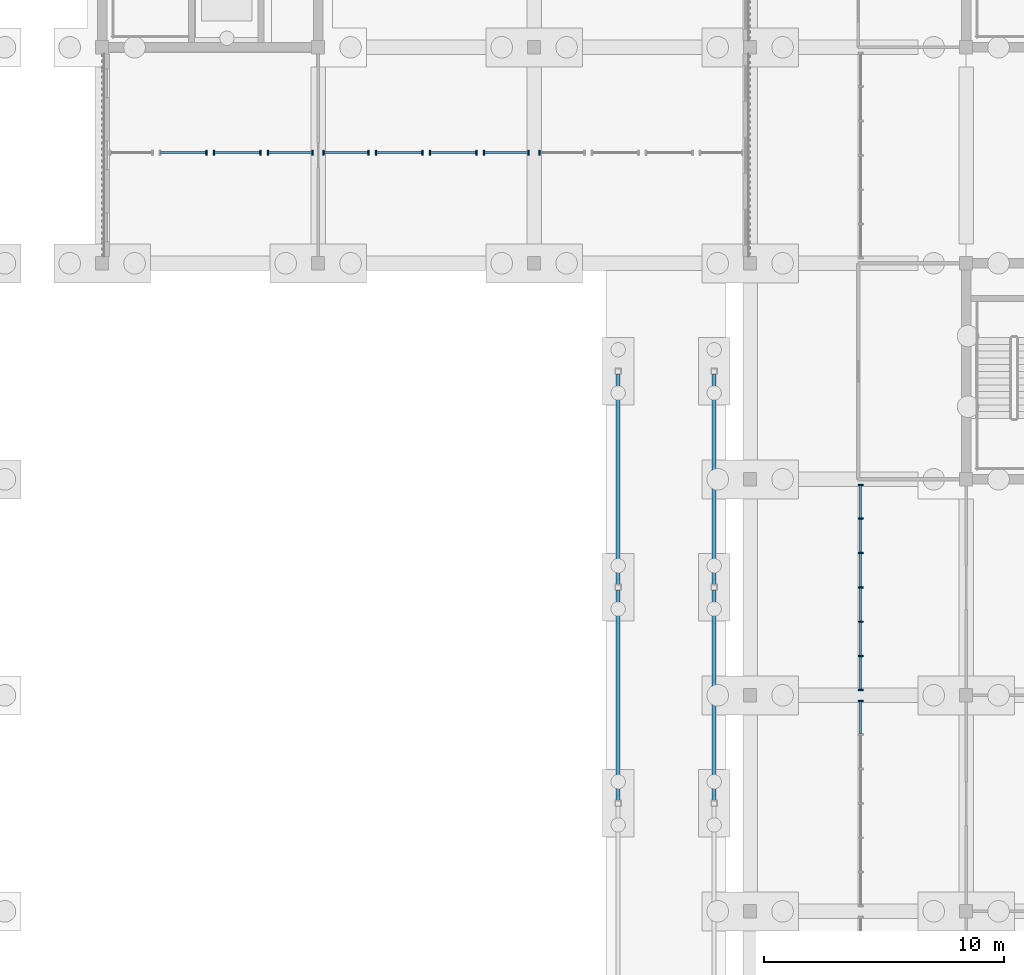
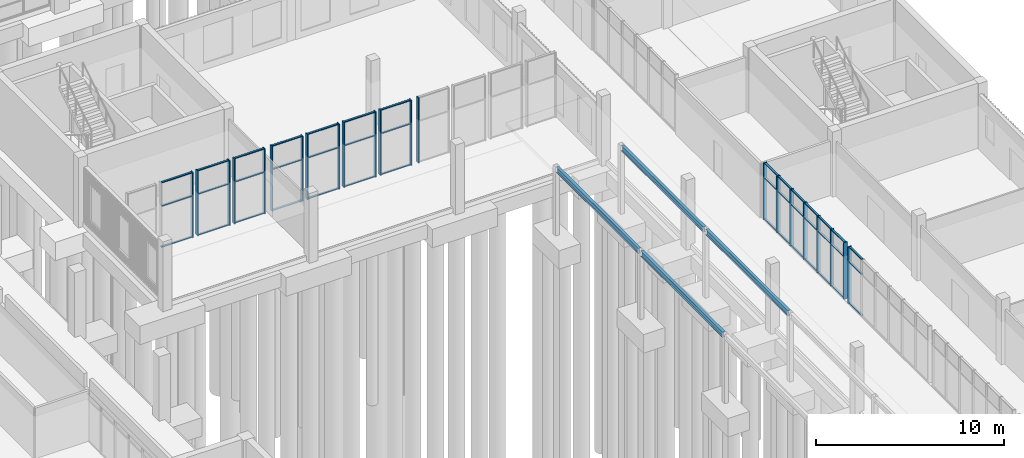
# One storey, part 44 of 106: 64 members, 4 beams, 10 elements without a shape of their own.
"""IFC4 building model written with IfcOpenShell, lengths in metres."""

from ifc_helpers import new_model, si_unit, direction, frame, origin, origin_2d, place, context, subcontext, project, spatial, rectangle, i_section, extrude, material, material_profile, profile_set, type_object, element, aggregate, save


model = new_model("IFC4")

# Units and contexts
model_context = context("Model", 3, precision=1e-05, world=origin(), true_north=direction((0.0, 1.0)))
body_context = subcontext(model_context, "Body", "Model", "MODEL_VIEW")
ifc_project = project(units=[si_unit("LENGTHUNIT", "METRE"), si_unit("AREAUNIT", "SQUARE_METRE"), si_unit("VOLUMEUNIT", "CUBIC_METRE"), si_unit("PLANEANGLEUNIT", "RADIAN"), si_unit("MASSUNIT", "GRAM", prefix="KILO")], contexts=[model_context])

# Site, building, storey
site_placement = place(None, origin())
site = spatial("IfcSite", under=ifc_project, at=site_placement, CompositionType="ELEMENT")
building_placement = place(site_placement, origin())
building = spatial("IfcBuilding", under=site, at=building_placement, Name="Merrow Basin Faculty of Sciences", CompositionType="ELEMENT")
storey_placement = place(building_placement, origin())
storey = spatial("IfcBuildingStorey", under=building, at=storey_placement, Name="L00", CompositionType="ELEMENT", Elevation=0.0)

# Curtain wall, member
ifc_material_1 = material(Name="Aluminium alloy 6063", Category="aluminium")
curtain_wall_type = type_object("IfcCurtainWallType", Name="Arcade curtain wall 220", PredefinedType="NOTDEFINED", material=ifc_material_1)
curtain_wall_1_placement = place(storey_placement, origin())
curtain_wall_1 = element("IfcCurtainWall", 1, at=curtain_wall_1_placement, inside=storey, type_object=curtain_wall_type, Name="Arcade curtain wall L00 3", PredefinedType="NOTDEFINED")
ifc_material_2 = material(Name="Aluminium alloy 6063", Category="aluminium")
ifc_material_profile_1 = material_profile(ifc_material_2, rectangle(XDim=0.219970703125, YDim=0.06005859375, at=origin_2d()))
ifc_profile_set_1 = profile_set([ifc_material_profile_1], Name="Aluminium alloy 6063")
member_type_1 = type_object("IfcMemberType", Name="Aluminium mullion 60x220", PredefinedType="MULLION", material=ifc_profile_set_1)
member_1_placement = place(storey_placement, frame((58.610107421875, 96.77001953125, 0.0), z_axis=(0.0, 0.0, 1.0), x_axis=(-1.0, 0.0, 0.0)))
member_1 = element("IfcMember", 2, at=member_1_placement, type_object=member_type_1, Name="CW9 mullion 7", PredefinedType="MULLION", context=body_context, shape_type="SweptSolid", body=[
    extrude(rectangle(XDim=0.219970703125, YDim=0.06005859375, at=origin_2d()), origin(), (0.0, 0.0, 1.0), 3.699951171875),
])

# Curtain wall, members
curtain_wall_2_placement = place(storey_placement, origin())
curtain_wall_2 = element("IfcCurtainWall", 3, at=curtain_wall_2_placement, inside=storey, type_object=curtain_wall_type, Name="Arcade curtain wall L00 4", PredefinedType="NOTDEFINED")
member_2_placement = place(storey_placement, frame((58.610107421875, 97.22998046875, 0.0), z_axis=(0.0, 0.0, 1.0), x_axis=(-1.0, 0.0, 0.0)))
member_2 = element("IfcMember", 4, at=member_2_placement, type_object=member_type_1, Name="CW9 mullion 1", PredefinedType="MULLION", context=body_context, shape_type="SweptSolid", body=[
    extrude(rectangle(XDim=0.219970703125, YDim=0.06005859375, at=origin_2d()), origin(), (0.0, 0.0, 1.0), 3.699951171875),
])
member_3_placement = place(storey_placement, frame((58.610107421875, 98.63330078125, 0.0), z_axis=(0.0, 0.0, 1.0), x_axis=(-1.0, 0.0, 0.0)))
member_3 = element("IfcMember", 5, at=member_3_placement, type_object=member_type_1, Name="CW9 mullion 2", PredefinedType="MULLION", context=body_context, shape_type="SweptSolid", body=[
    extrude(rectangle(XDim=0.219970703125, YDim=0.06005859375, at=origin_2d()), origin(), (0.0, 0.0, 1.0), 3.699951171875),
])
member_4_placement = place(storey_placement, frame((58.610107421875, 100.066650390625, 0.0), z_axis=(0.0, 0.0, 1.0), x_axis=(-1.0, 0.0, 0.0)))
member_4 = element("IfcMember", 6, at=member_4_placement, type_object=member_type_1, Name="CW9 mullion 3", PredefinedType="MULLION", context=body_context, shape_type="SweptSolid", body=[
    extrude(rectangle(XDim=0.219970703125, YDim=0.06005859375, at=origin_2d()), origin(), (0.0, 0.0, 1.0), 3.699951171875),
])
member_5_placement = place(storey_placement, frame((58.610107421875, 101.5, 0.0), z_axis=(0.0, 0.0, 1.0), x_axis=(-1.0, 0.0, 0.0)))
member_5 = element("IfcMember", 7, at=member_5_placement, type_object=member_type_1, Name="CW9 mullion 4", PredefinedType="MULLION", context=body_context, shape_type="SweptSolid", body=[
    extrude(rectangle(XDim=0.219970703125, YDim=0.06005859375, at=origin_2d()), origin(), (0.0, 0.0, 1.0), 3.699951171875),
])
member_6_placement = place(storey_placement, frame((58.610107421875, 102.933349609375, 0.0), z_axis=(0.0, 0.0, 1.0), x_axis=(-1.0, 0.0, 0.0)))
member_6 = element("IfcMember", 8, at=member_6_placement, type_object=member_type_1, Name="CW9 mullion 5", PredefinedType="MULLION", context=body_context, shape_type="SweptSolid", body=[
    extrude(rectangle(XDim=0.219970703125, YDim=0.06005859375, at=origin_2d()), origin(), (0.0, 0.0, 1.0), 3.699951171875),
])
member_7_placement = place(storey_placement, frame((58.610107421875, 104.36669921875, 0.0), z_axis=(0.0, 0.0, 1.0), x_axis=(-1.0, 0.0, 0.0)))
member_7 = element("IfcMember", 9, at=member_7_placement, type_object=member_type_1, Name="CW9 mullion 6", PredefinedType="MULLION", context=body_context, shape_type="SweptSolid", body=[
    extrude(rectangle(XDim=0.219970703125, YDim=0.06005859375, at=origin_2d()), origin(), (0.0, 0.0, 1.0), 3.699951171875),
])
member_8_placement = place(storey_placement, frame((58.610107421875, 105.77001953125, 0.0), z_axis=(0.0, 0.0, 1.0), x_axis=(-1.0, 0.0, 0.0)))
member_8 = element("IfcMember", 10, at=member_8_placement, type_object=member_type_1, Name="CW9 mullion 7", PredefinedType="MULLION", context=body_context, shape_type="SweptSolid", body=[
    extrude(rectangle(XDim=0.219970703125, YDim=0.06005859375, at=origin_2d()), origin(), (0.0, 0.0, 1.0), 3.699951171875),
])

# Curtain wall, member
curtain_wall_3_placement = place(storey_placement, origin())
curtain_wall_3 = element("IfcCurtainWall", 11, at=curtain_wall_3_placement, inside=storey, type_object=curtain_wall_type, Name="Arcade curtain wall L00 2", PredefinedType="NOTDEFINED")
member_9_placement = place(storey_placement, frame((31.344970703125, 119.610107421875, 0.0), z_axis=(0.0, 0.0, 1.0), x_axis=(0.0, 1.0, 0.0)))
member_9 = element("IfcMember", 12, at=member_9_placement, type_object=member_type_1, Name="CW9 mullion 2", PredefinedType="MULLION", context=body_context, shape_type="SweptSolid", body=[
    extrude(rectangle(XDim=0.219970703125, YDim=0.06005859375, at=origin_2d()), origin(), (0.0, 0.0, 1.0), 4.25),
])

# Curtain wall, members
curtain_wall_4_placement = place(storey_placement, origin())
curtain_wall_4 = element("IfcCurtainWall", 13, at=curtain_wall_4_placement, inside=storey, type_object=curtain_wall_type, Name="Arcade curtain wall L00 3", PredefinedType="NOTDEFINED")
member_10_placement = place(storey_placement, frame((31.655029296875, 119.610107421875, 0.0), z_axis=(0.0, 0.0, 1.0), x_axis=(0.0, 1.0, 0.0)))
member_10 = element("IfcMember", 14, at=member_10_placement, type_object=member_type_1, Name="CW9 mullion 1", PredefinedType="MULLION", context=body_context, shape_type="SweptSolid", body=[
    extrude(rectangle(XDim=0.219970703125, YDim=0.06005859375, at=origin_2d()), origin(), (0.0, 0.0, 1.0), 4.25),
])
member_11_placement = place(storey_placement, frame((33.594970703125, 119.610107421875, 0.0), z_axis=(0.0, 0.0, 1.0), x_axis=(0.0, 1.0, 0.0)))
member_11 = element("IfcMember", 15, at=member_11_placement, type_object=member_type_1, Name="CW9 mullion 2", PredefinedType="MULLION", context=body_context, shape_type="SweptSolid", body=[
    extrude(rectangle(XDim=0.219970703125, YDim=0.06005859375, at=origin_2d()), origin(), (0.0, 0.0, 1.0), 4.25),
])

curtain_wall_5_placement = place(storey_placement, origin())
curtain_wall_5 = element("IfcCurtainWall", 16, at=curtain_wall_5_placement, inside=storey, type_object=curtain_wall_type, Name="Arcade curtain wall L00 4", PredefinedType="NOTDEFINED")
member_12_placement = place(storey_placement, frame((33.905029296875, 119.610107421875, 0.0), z_axis=(0.0, 0.0, 1.0), x_axis=(0.0, 1.0, 0.0)))
member_12 = element("IfcMember", 17, at=member_12_placement, type_object=member_type_1, Name="CW9 mullion 1", PredefinedType="MULLION", context=body_context, shape_type="SweptSolid", body=[
    extrude(rectangle(XDim=0.219970703125, YDim=0.06005859375, at=origin_2d()), origin(), (0.0, 0.0, 1.0), 4.25),
])
member_13_placement = place(storey_placement, frame((35.77001953125, 119.610107421875, 0.0), z_axis=(0.0, 0.0, 1.0), x_axis=(0.0, 1.0, 0.0)))
member_13 = element("IfcMember", 18, at=member_13_placement, type_object=member_type_1, Name="CW9 mullion 2", PredefinedType="MULLION", context=body_context, shape_type="SweptSolid", body=[
    extrude(rectangle(XDim=0.219970703125, YDim=0.06005859375, at=origin_2d()), origin(), (0.0, 0.0, 1.0), 4.25),
])

curtain_wall_6_placement = place(storey_placement, origin())
curtain_wall_6 = element("IfcCurtainWall", 19, at=curtain_wall_6_placement, inside=storey, type_object=curtain_wall_type, Name="Arcade curtain wall L00 5", PredefinedType="NOTDEFINED")
member_14_placement = place(storey_placement, frame((36.22998046875, 119.610107421875, 0.0), z_axis=(0.0, 0.0, 1.0), x_axis=(0.0, 1.0, 0.0)))
member_14 = element("IfcMember", 20, at=member_14_placement, type_object=member_type_1, Name="CW9 mullion 1", PredefinedType="MULLION", context=body_context, shape_type="SweptSolid", body=[
    extrude(rectangle(XDim=0.219970703125, YDim=0.06005859375, at=origin_2d()), origin(), (0.0, 0.0, 1.0), 4.25),
])
member_15_placement = place(storey_placement, frame((38.094970703125, 119.610107421875, 0.0), z_axis=(0.0, 0.0, 1.0), x_axis=(0.0, 1.0, 0.0)))
member_15 = element("IfcMember", 21, at=member_15_placement, type_object=member_type_1, Name="CW9 mullion 2", PredefinedType="MULLION", context=body_context, shape_type="SweptSolid", body=[
    extrude(rectangle(XDim=0.219970703125, YDim=0.06005859375, at=origin_2d()), origin(), (0.0, 0.0, 1.0), 4.25),
])

curtain_wall_7_placement = place(storey_placement, origin())
curtain_wall_7 = element("IfcCurtainWall", 22, at=curtain_wall_7_placement, inside=storey, type_object=curtain_wall_type, Name="Arcade curtain wall L00 6", PredefinedType="NOTDEFINED")
member_16_placement = place(storey_placement, frame((38.405029296875, 119.610107421875, 0.0), z_axis=(0.0, 0.0, 1.0), x_axis=(0.0, 1.0, 0.0)))
member_16 = element("IfcMember", 23, at=member_16_placement, type_object=member_type_1, Name="CW9 mullion 1", PredefinedType="MULLION", context=body_context, shape_type="SweptSolid", body=[
    extrude(rectangle(XDim=0.219970703125, YDim=0.06005859375, at=origin_2d()), origin(), (0.0, 0.0, 1.0), 4.25),
])
member_17_placement = place(storey_placement, frame((40.344970703125, 119.610107421875, 0.0), z_axis=(0.0, 0.0, 1.0), x_axis=(0.0, 1.0, 0.0)))
member_17 = element("IfcMember", 24, at=member_17_placement, type_object=member_type_1, Name="CW9 mullion 2", PredefinedType="MULLION", context=body_context, shape_type="SweptSolid", body=[
    extrude(rectangle(XDim=0.219970703125, YDim=0.06005859375, at=origin_2d()), origin(), (0.0, 0.0, 1.0), 4.25),
])

curtain_wall_8_placement = place(storey_placement, origin())
curtain_wall_8 = element("IfcCurtainWall", 25, at=curtain_wall_8_placement, inside=storey, type_object=curtain_wall_type, Name="Arcade curtain wall L00 7", PredefinedType="NOTDEFINED")
member_18_placement = place(storey_placement, frame((40.655029296875, 119.610107421875, 0.0), z_axis=(0.0, 0.0, 1.0), x_axis=(0.0, 1.0, 0.0)))
member_18 = element("IfcMember", 26, at=member_18_placement, type_object=member_type_1, Name="CW9 mullion 1", PredefinedType="MULLION", context=body_context, shape_type="SweptSolid", body=[
    extrude(rectangle(XDim=0.219970703125, YDim=0.06005859375, at=origin_2d()), origin(), (0.0, 0.0, 1.0), 4.25),
])
member_19_placement = place(storey_placement, frame((42.594970703125, 119.610107421875, 0.0), z_axis=(0.0, 0.0, 1.0), x_axis=(0.0, 1.0, 0.0)))
member_19 = element("IfcMember", 27, at=member_19_placement, type_object=member_type_1, Name="CW9 mullion 2", PredefinedType="MULLION", context=body_context, shape_type="SweptSolid", body=[
    extrude(rectangle(XDim=0.219970703125, YDim=0.06005859375, at=origin_2d()), origin(), (0.0, 0.0, 1.0), 4.25),
])

curtain_wall_9_placement = place(storey_placement, origin())
curtain_wall_9 = element("IfcCurtainWall", 28, at=curtain_wall_9_placement, inside=storey, type_object=curtain_wall_type, Name="Arcade curtain wall L00 8", PredefinedType="NOTDEFINED")
member_20_placement = place(storey_placement, frame((42.905029296875, 119.610107421875, 0.0), z_axis=(0.0, 0.0, 1.0), x_axis=(0.0, 1.0, 0.0)))
member_20 = element("IfcMember", 29, at=member_20_placement, type_object=member_type_1, Name="CW9 mullion 1", PredefinedType="MULLION", context=body_context, shape_type="SweptSolid", body=[
    extrude(rectangle(XDim=0.219970703125, YDim=0.06005859375, at=origin_2d()), origin(), (0.0, 0.0, 1.0), 4.25),
])
member_21_placement = place(storey_placement, frame((44.77001953125, 119.610107421875, 0.0), z_axis=(0.0, 0.0, 1.0), x_axis=(0.0, 1.0, 0.0)))
member_21 = element("IfcMember", 30, at=member_21_placement, type_object=member_type_1, Name="CW9 mullion 2", PredefinedType="MULLION", context=body_context, shape_type="SweptSolid", body=[
    extrude(rectangle(XDim=0.219970703125, YDim=0.06005859375, at=origin_2d()), origin(), (0.0, 0.0, 1.0), 4.25),
])

# Curtain wall, member
curtain_wall_10_placement = place(storey_placement, origin())
curtain_wall_10 = element("IfcCurtainWall", 31, at=curtain_wall_10_placement, inside=storey, type_object=curtain_wall_type, Name="Arcade curtain wall L00 9", PredefinedType="NOTDEFINED")
member_22_placement = place(storey_placement, frame((45.22998046875, 119.610107421875, 0.0), z_axis=(0.0, 0.0, 1.0), x_axis=(0.0, 1.0, 0.0)))
member_22 = element("IfcMember", 32, at=member_22_placement, type_object=member_type_1, Name="CW9 mullion 1", PredefinedType="MULLION", context=body_context, shape_type="SweptSolid", body=[
    extrude(rectangle(XDim=0.219970703125, YDim=0.06005859375, at=origin_2d()), origin(), (0.0, 0.0, 1.0), 4.25),
])
aggregate(curtain_wall_10, [member_22])

# Member
ifc_material_3 = material(Name="Aluminium alloy 6063", Category="aluminium")
ifc_material_profile_2 = material_profile(ifc_material_3, rectangle(XDim=0.1201171875, YDim=0.06005859375, at=origin_2d()))
ifc_profile_set_2 = profile_set([ifc_material_profile_2], Name="Aluminium alloy 6063")
member_type_2 = type_object("IfcMemberType", Name="Aluminium transom 60x120", PredefinedType="USERDEFINED", material=ifc_profile_set_2)
member_23_placement = place(storey_placement, frame((58.610107421875, 95.396728515625, 0.030029296875), z_axis=(0.0, 1.0, 0.0), x_axis=(-1.0, 0.0, 0.0)))
member_23 = element("IfcMember", 33, at=member_23_placement, type_object=member_type_2, Name="CW9 transom 6.1", ObjectType="TRANSOM", PredefinedType="USERDEFINED", context=body_context, shape_type="SweptSolid", body=[
    extrude(rectangle(XDim=0.1201171875, YDim=0.06005859375, at=origin_2d()), origin(), (0.0, 0.0, 1.0), 1.34326171875),
])

member_24_placement = place(storey_placement, frame((58.610107421875, 95.396728515625, 2.699951171875), z_axis=(0.0, 1.0, 0.0), x_axis=(-1.0, 0.0, 0.0)))
member_24 = element("IfcMember", 34, at=member_24_placement, type_object=member_type_2, Name="CW9 transom 6.2", ObjectType="TRANSOM", PredefinedType="USERDEFINED", context=body_context, shape_type="SweptSolid", body=[
    extrude(rectangle(XDim=0.1201171875, YDim=0.06005859375, at=origin_2d()), origin(), (0.0, 0.0, 1.0), 1.34326171875),
])

member_25_placement = place(storey_placement, frame((58.610107421875, 95.396728515625, 3.669921875), z_axis=(0.0, 1.0, 0.0), x_axis=(-1.0, 0.0, 0.0)))
member_25 = element("IfcMember", 35, at=member_25_placement, type_object=member_type_2, Name="CW9 transom 6.3", ObjectType="TRANSOM", PredefinedType="USERDEFINED", context=body_context, shape_type="SweptSolid", body=[
    extrude(rectangle(XDim=0.1201171875, YDim=0.06005859375, at=origin_2d()), origin(), (0.0, 0.0, 1.0), 1.34326171875),
])

aggregate(curtain_wall_1, [member_1, member_23, member_24, member_25])

member_26_placement = place(storey_placement, frame((58.610107421875, 97.260009765625, 0.030029296875), z_axis=(0.0, 1.0, 0.0), x_axis=(-1.0, 0.0, 0.0)))
member_26 = element("IfcMember", 36, at=member_26_placement, type_object=member_type_2, Name="CW9 transom 1.1", ObjectType="TRANSOM", PredefinedType="USERDEFINED", context=body_context, shape_type="SweptSolid", body=[
    extrude(rectangle(XDim=0.1201171875, YDim=0.06005859375, at=origin_2d()), origin(), (0.0, 0.0, 1.0), 1.34326171875),
])

member_27_placement = place(storey_placement, frame((58.610107421875, 97.260009765625, 2.699951171875), z_axis=(0.0, 1.0, 0.0), x_axis=(-1.0, 0.0, 0.0)))
member_27 = element("IfcMember", 37, at=member_27_placement, type_object=member_type_2, Name="CW9 transom 1.2", ObjectType="TRANSOM", PredefinedType="USERDEFINED", context=body_context, shape_type="SweptSolid", body=[
    extrude(rectangle(XDim=0.1201171875, YDim=0.06005859375, at=origin_2d()), origin(), (0.0, 0.0, 1.0), 1.34326171875),
])

member_28_placement = place(storey_placement, frame((58.610107421875, 97.260009765625, 3.669921875), z_axis=(0.0, 1.0, 0.0), x_axis=(-1.0, 0.0, 0.0)))
member_28 = element("IfcMember", 38, at=member_28_placement, type_object=member_type_2, Name="CW9 transom 1.3", ObjectType="TRANSOM", PredefinedType="USERDEFINED", context=body_context, shape_type="SweptSolid", body=[
    extrude(rectangle(XDim=0.1201171875, YDim=0.06005859375, at=origin_2d()), origin(), (0.0, 0.0, 1.0), 1.34326171875),
])

member_29_placement = place(storey_placement, frame((58.610107421875, 98.663330078125, 0.030029296875), z_axis=(0.0, 1.0, 0.0), x_axis=(-1.0, 0.0, 0.0)))
member_29 = element("IfcMember", 39, at=member_29_placement, type_object=member_type_2, Name="CW9 transom 2.1", ObjectType="TRANSOM", PredefinedType="USERDEFINED", context=body_context, shape_type="SweptSolid", body=[
    extrude(rectangle(XDim=0.1201171875, YDim=0.06005859375, at=origin_2d()), origin(), (0.0, 0.0, 1.0), 1.373291015625),
])

member_30_placement = place(storey_placement, frame((58.610107421875, 98.663330078125, 2.699951171875), z_axis=(0.0, 1.0, 0.0), x_axis=(-1.0, 0.0, 0.0)))
member_30 = element("IfcMember", 40, at=member_30_placement, type_object=member_type_2, Name="CW9 transom 2.2", ObjectType="TRANSOM", PredefinedType="USERDEFINED", context=body_context, shape_type="SweptSolid", body=[
    extrude(rectangle(XDim=0.1201171875, YDim=0.06005859375, at=origin_2d()), origin(), (0.0, 0.0, 1.0), 1.373291015625),
])

member_31_placement = place(storey_placement, frame((58.610107421875, 98.663330078125, 3.669921875), z_axis=(0.0, 1.0, 0.0), x_axis=(-1.0, 0.0, 0.0)))
member_31 = element("IfcMember", 41, at=member_31_placement, type_object=member_type_2, Name="CW9 transom 2.3", ObjectType="TRANSOM", PredefinedType="USERDEFINED", context=body_context, shape_type="SweptSolid", body=[
    extrude(rectangle(XDim=0.1201171875, YDim=0.06005859375, at=origin_2d()), origin(), (0.0, 0.0, 1.0), 1.373291015625),
])

member_32_placement = place(storey_placement, frame((58.610107421875, 100.0966796875, 0.030029296875), z_axis=(0.0, 1.0, 0.0), x_axis=(-1.0, 0.0, 0.0)))
member_32 = element("IfcMember", 42, at=member_32_placement, type_object=member_type_2, Name="CW9 transom 3.1", ObjectType="TRANSOM", PredefinedType="USERDEFINED", context=body_context, shape_type="SweptSolid", body=[
    extrude(rectangle(XDim=0.1201171875, YDim=0.06005859375, at=origin_2d()), origin(), (0.0, 0.0, 1.0), 1.373291015625),
])

member_33_placement = place(storey_placement, frame((58.610107421875, 100.0966796875, 2.699951171875), z_axis=(0.0, 1.0, 0.0), x_axis=(-1.0, 0.0, 0.0)))
member_33 = element("IfcMember", 43, at=member_33_placement, type_object=member_type_2, Name="CW9 transom 3.2", ObjectType="TRANSOM", PredefinedType="USERDEFINED", context=body_context, shape_type="SweptSolid", body=[
    extrude(rectangle(XDim=0.1201171875, YDim=0.06005859375, at=origin_2d()), origin(), (0.0, 0.0, 1.0), 1.373291015625),
])

member_34_placement = place(storey_placement, frame((58.610107421875, 100.0966796875, 3.669921875), z_axis=(0.0, 1.0, 0.0), x_axis=(-1.0, 0.0, 0.0)))
member_34 = element("IfcMember", 44, at=member_34_placement, type_object=member_type_2, Name="CW9 transom 3.3", ObjectType="TRANSOM", PredefinedType="USERDEFINED", context=body_context, shape_type="SweptSolid", body=[
    extrude(rectangle(XDim=0.1201171875, YDim=0.06005859375, at=origin_2d()), origin(), (0.0, 0.0, 1.0), 1.373291015625),
])

member_35_placement = place(storey_placement, frame((58.610107421875, 101.530029296875, 0.030029296875), z_axis=(0.0, 1.0, 0.0), x_axis=(-1.0, 0.0, 0.0)))
member_35 = element("IfcMember", 45, at=member_35_placement, type_object=member_type_2, Name="CW9 transom 4.1", ObjectType="TRANSOM", PredefinedType="USERDEFINED", context=body_context, shape_type="SweptSolid", body=[
    extrude(rectangle(XDim=0.1201171875, YDim=0.06005859375, at=origin_2d()), origin(), (0.0, 0.0, 1.0), 1.373291015625),
])

member_36_placement = place(storey_placement, frame((58.610107421875, 101.530029296875, 2.699951171875), z_axis=(0.0, 1.0, 0.0), x_axis=(-1.0, 0.0, 0.0)))
member_36 = element("IfcMember", 46, at=member_36_placement, type_object=member_type_2, Name="CW9 transom 4.2", ObjectType="TRANSOM", PredefinedType="USERDEFINED", context=body_context, shape_type="SweptSolid", body=[
    extrude(rectangle(XDim=0.1201171875, YDim=0.06005859375, at=origin_2d()), origin(), (0.0, 0.0, 1.0), 1.373291015625),
])

member_37_placement = place(storey_placement, frame((58.610107421875, 101.530029296875, 3.669921875), z_axis=(0.0, 1.0, 0.0), x_axis=(-1.0, 0.0, 0.0)))
member_37 = element("IfcMember", 47, at=member_37_placement, type_object=member_type_2, Name="CW9 transom 4.3", ObjectType="TRANSOM", PredefinedType="USERDEFINED", context=body_context, shape_type="SweptSolid", body=[
    extrude(rectangle(XDim=0.1201171875, YDim=0.06005859375, at=origin_2d()), origin(), (0.0, 0.0, 1.0), 1.373291015625),
])

member_38_placement = place(storey_placement, frame((58.610107421875, 102.96337890625, 0.030029296875), z_axis=(0.0, 1.0, 0.0), x_axis=(-1.0, 0.0, 0.0)))
member_38 = element("IfcMember", 48, at=member_38_placement, type_object=member_type_2, Name="CW9 transom 5.1", ObjectType="TRANSOM", PredefinedType="USERDEFINED", context=body_context, shape_type="SweptSolid", body=[
    extrude(rectangle(XDim=0.1201171875, YDim=0.06005859375, at=origin_2d()), origin(), (0.0, 0.0, 1.0), 1.373291015625),
])

member_39_placement = place(storey_placement, frame((58.610107421875, 102.96337890625, 2.699951171875), z_axis=(0.0, 1.0, 0.0), x_axis=(-1.0, 0.0, 0.0)))
member_39 = element("IfcMember", 49, at=member_39_placement, type_object=member_type_2, Name="CW9 transom 5.2", ObjectType="TRANSOM", PredefinedType="USERDEFINED", context=body_context, shape_type="SweptSolid", body=[
    extrude(rectangle(XDim=0.1201171875, YDim=0.06005859375, at=origin_2d()), origin(), (0.0, 0.0, 1.0), 1.373291015625),
])

member_40_placement = place(storey_placement, frame((58.610107421875, 102.96337890625, 3.669921875), z_axis=(0.0, 1.0, 0.0), x_axis=(-1.0, 0.0, 0.0)))
member_40 = element("IfcMember", 50, at=member_40_placement, type_object=member_type_2, Name="CW9 transom 5.3", ObjectType="TRANSOM", PredefinedType="USERDEFINED", context=body_context, shape_type="SweptSolid", body=[
    extrude(rectangle(XDim=0.1201171875, YDim=0.06005859375, at=origin_2d()), origin(), (0.0, 0.0, 1.0), 1.373291015625),
])

member_41_placement = place(storey_placement, frame((58.610107421875, 104.396728515625, 0.030029296875), z_axis=(0.0, 1.0, 0.0), x_axis=(-1.0, 0.0, 0.0)))
member_41 = element("IfcMember", 51, at=member_41_placement, type_object=member_type_2, Name="CW9 transom 6.1", ObjectType="TRANSOM", PredefinedType="USERDEFINED", context=body_context, shape_type="SweptSolid", body=[
    extrude(rectangle(XDim=0.1201171875, YDim=0.06005859375, at=origin_2d()), origin(), (0.0, 0.0, 1.0), 1.34326171875),
])

member_42_placement = place(storey_placement, frame((58.610107421875, 104.396728515625, 2.699951171875), z_axis=(0.0, 1.0, 0.0), x_axis=(-1.0, 0.0, 0.0)))
member_42 = element("IfcMember", 52, at=member_42_placement, type_object=member_type_2, Name="CW9 transom 6.2", ObjectType="TRANSOM", PredefinedType="USERDEFINED", context=body_context, shape_type="SweptSolid", body=[
    extrude(rectangle(XDim=0.1201171875, YDim=0.06005859375, at=origin_2d()), origin(), (0.0, 0.0, 1.0), 1.34326171875),
])

member_43_placement = place(storey_placement, frame((58.610107421875, 104.396728515625, 3.669921875), z_axis=(0.0, 1.0, 0.0), x_axis=(-1.0, 0.0, 0.0)))
member_43 = element("IfcMember", 53, at=member_43_placement, type_object=member_type_2, Name="CW9 transom 6.3", ObjectType="TRANSOM", PredefinedType="USERDEFINED", context=body_context, shape_type="SweptSolid", body=[
    extrude(rectangle(XDim=0.1201171875, YDim=0.06005859375, at=origin_2d()), origin(), (0.0, 0.0, 1.0), 1.34326171875),
])

aggregate(curtain_wall_2, [member_2, member_3, member_4, member_5, member_6, member_7, member_8, member_26, member_27, member_28, member_29, member_30, member_31, member_32, member_33, member_34, member_35, member_36, member_37, member_38, member_39, member_40, member_41, member_42, member_43])

member_44_placement = place(storey_placement, frame((29.43505859375, 119.610107421875, 0.030029296875), z_axis=(1.0, 0.0, 0.0), x_axis=(0.0, 1.0, 0.0)))
member_44 = element("IfcMember", 54, at=member_44_placement, type_object=member_type_2, Name="CW9 transom 1.1", ObjectType="TRANSOM", PredefinedType="USERDEFINED", context=body_context, shape_type="SweptSolid", body=[
    extrude(rectangle(XDim=0.1201171875, YDim=0.06005859375, at=origin_2d()), origin(), (0.0, 0.0, 1.0), 1.8798828125),
])

member_45_placement = place(storey_placement, frame((29.43505859375, 119.610107421875, 2.699951171875), z_axis=(1.0, 0.0, 0.0), x_axis=(0.0, 1.0, 0.0)))
member_45 = element("IfcMember", 55, at=member_45_placement, type_object=member_type_2, Name="CW9 transom 1.2", ObjectType="TRANSOM", PredefinedType="USERDEFINED", context=body_context, shape_type="SweptSolid", body=[
    extrude(rectangle(XDim=0.1201171875, YDim=0.06005859375, at=origin_2d()), origin(), (0.0, 0.0, 1.0), 1.8798828125),
])

member_46_placement = place(storey_placement, frame((29.43505859375, 119.610107421875, 4.219970703125), z_axis=(1.0, 0.0, 0.0), x_axis=(0.0, 1.0, 0.0)))
member_46 = element("IfcMember", 56, at=member_46_placement, type_object=member_type_2, Name="CW9 transom 1.3", ObjectType="TRANSOM", PredefinedType="USERDEFINED", context=body_context, shape_type="SweptSolid", body=[
    extrude(rectangle(XDim=0.1201171875, YDim=0.06005859375, at=origin_2d()), origin(), (0.0, 0.0, 1.0), 1.8798828125),
])

aggregate(curtain_wall_3, [member_9, member_44, member_45, member_46])

member_47_placement = place(storey_placement, frame((31.68505859375, 119.610107421875, 0.030029296875), z_axis=(1.0, 0.0, 0.0), x_axis=(0.0, 1.0, 0.0)))
member_47 = element("IfcMember", 57, at=member_47_placement, type_object=member_type_2, Name="CW9 transom 1.1", ObjectType="TRANSOM", PredefinedType="USERDEFINED", context=body_context, shape_type="SweptSolid", body=[
    extrude(rectangle(XDim=0.1201171875, YDim=0.06005859375, at=origin_2d()), origin(), (0.0, 0.0, 1.0), 1.8798828125),
])

member_48_placement = place(storey_placement, frame((31.68505859375, 119.610107421875, 2.699951171875), z_axis=(1.0, 0.0, 0.0), x_axis=(0.0, 1.0, 0.0)))
member_48 = element("IfcMember", 58, at=member_48_placement, type_object=member_type_2, Name="CW9 transom 1.2", ObjectType="TRANSOM", PredefinedType="USERDEFINED", context=body_context, shape_type="SweptSolid", body=[
    extrude(rectangle(XDim=0.1201171875, YDim=0.06005859375, at=origin_2d()), origin(), (0.0, 0.0, 1.0), 1.8798828125),
])

member_49_placement = place(storey_placement, frame((31.68505859375, 119.610107421875, 4.219970703125), z_axis=(1.0, 0.0, 0.0), x_axis=(0.0, 1.0, 0.0)))
member_49 = element("IfcMember", 59, at=member_49_placement, type_object=member_type_2, Name="CW9 transom 1.3", ObjectType="TRANSOM", PredefinedType="USERDEFINED", context=body_context, shape_type="SweptSolid", body=[
    extrude(rectangle(XDim=0.1201171875, YDim=0.06005859375, at=origin_2d()), origin(), (0.0, 0.0, 1.0), 1.8798828125),
])

aggregate(curtain_wall_4, [member_10, member_11, member_47, member_48, member_49])

member_50_placement = place(storey_placement, frame((33.93505859375, 119.610107421875, 0.030029296875), z_axis=(1.0, 0.0, 0.0), x_axis=(0.0, 1.0, 0.0)))
member_50 = element("IfcMember", 60, at=member_50_placement, type_object=member_type_2, Name="CW9 transom 1.1", ObjectType="TRANSOM", PredefinedType="USERDEFINED", context=body_context, shape_type="SweptSolid", body=[
    extrude(rectangle(XDim=0.1201171875, YDim=0.06005859375, at=origin_2d()), origin(), (0.0, 0.0, 1.0), 1.804931640625),
])

member_51_placement = place(storey_placement, frame((33.93505859375, 119.610107421875, 2.699951171875), z_axis=(1.0, 0.0, 0.0), x_axis=(0.0, 1.0, 0.0)))
member_51 = element("IfcMember", 61, at=member_51_placement, type_object=member_type_2, Name="CW9 transom 1.2", ObjectType="TRANSOM", PredefinedType="USERDEFINED", context=body_context, shape_type="SweptSolid", body=[
    extrude(rectangle(XDim=0.1201171875, YDim=0.06005859375, at=origin_2d()), origin(), (0.0, 0.0, 1.0), 1.804931640625),
])

member_52_placement = place(storey_placement, frame((33.93505859375, 119.610107421875, 4.219970703125), z_axis=(1.0, 0.0, 0.0), x_axis=(0.0, 1.0, 0.0)))
member_52 = element("IfcMember", 62, at=member_52_placement, type_object=member_type_2, Name="CW9 transom 1.3", ObjectType="TRANSOM", PredefinedType="USERDEFINED", context=body_context, shape_type="SweptSolid", body=[
    extrude(rectangle(XDim=0.1201171875, YDim=0.06005859375, at=origin_2d()), origin(), (0.0, 0.0, 1.0), 1.804931640625),
])

aggregate(curtain_wall_5, [member_12, member_13, member_50, member_51, member_52])

member_53_placement = place(storey_placement, frame((36.260009765625, 119.610107421875, 0.030029296875), z_axis=(1.0, 0.0, 0.0), x_axis=(0.0, 1.0, 0.0)))
member_53 = element("IfcMember", 63, at=member_53_placement, type_object=member_type_2, Name="CW9 transom 1.1", ObjectType="TRANSOM", PredefinedType="USERDEFINED", context=body_context, shape_type="SweptSolid", body=[
    extrude(rectangle(XDim=0.1201171875, YDim=0.06005859375, at=origin_2d()), origin(), (0.0, 0.0, 1.0), 1.804931640625),
])

member_54_placement = place(storey_placement, frame((36.260009765625, 119.610107421875, 2.699951171875), z_axis=(1.0, 0.0, 0.0), x_axis=(0.0, 1.0, 0.0)))
member_54 = element("IfcMember", 64, at=member_54_placement, type_object=member_type_2, Name="CW9 transom 1.2", ObjectType="TRANSOM", PredefinedType="USERDEFINED", context=body_context, shape_type="SweptSolid", body=[
    extrude(rectangle(XDim=0.1201171875, YDim=0.06005859375, at=origin_2d()), origin(), (0.0, 0.0, 1.0), 1.804931640625),
])

member_55_placement = place(storey_placement, frame((36.260009765625, 119.610107421875, 4.219970703125), z_axis=(1.0, 0.0, 0.0), x_axis=(0.0, 1.0, 0.0)))
member_55 = element("IfcMember", 65, at=member_55_placement, type_object=member_type_2, Name="CW9 transom 1.3", ObjectType="TRANSOM", PredefinedType="USERDEFINED", context=body_context, shape_type="SweptSolid", body=[
    extrude(rectangle(XDim=0.1201171875, YDim=0.06005859375, at=origin_2d()), origin(), (0.0, 0.0, 1.0), 1.804931640625),
])

aggregate(curtain_wall_6, [member_14, member_15, member_53, member_54, member_55])

member_56_placement = place(storey_placement, frame((38.43505859375, 119.610107421875, 0.030029296875), z_axis=(1.0, 0.0, 0.0), x_axis=(0.0, 1.0, 0.0)))
member_56 = element("IfcMember", 66, at=member_56_placement, type_object=member_type_2, Name="CW9 transom 1.1", ObjectType="TRANSOM", PredefinedType="USERDEFINED", context=body_context, shape_type="SweptSolid", body=[
    extrude(rectangle(XDim=0.1201171875, YDim=0.06005859375, at=origin_2d()), origin(), (0.0, 0.0, 1.0), 1.8798828125),
])

member_57_placement = place(storey_placement, frame((38.43505859375, 119.610107421875, 2.699951171875), z_axis=(1.0, 0.0, 0.0), x_axis=(0.0, 1.0, 0.0)))
member_57 = element("IfcMember", 67, at=member_57_placement, type_object=member_type_2, Name="CW9 transom 1.2", ObjectType="TRANSOM", PredefinedType="USERDEFINED", context=body_context, shape_type="SweptSolid", body=[
    extrude(rectangle(XDim=0.1201171875, YDim=0.06005859375, at=origin_2d()), origin(), (0.0, 0.0, 1.0), 1.8798828125),
])

member_58_placement = place(storey_placement, frame((38.43505859375, 119.610107421875, 4.219970703125), z_axis=(1.0, 0.0, 0.0), x_axis=(0.0, 1.0, 0.0)))
member_58 = element("IfcMember", 68, at=member_58_placement, type_object=member_type_2, Name="CW9 transom 1.3", ObjectType="TRANSOM", PredefinedType="USERDEFINED", context=body_context, shape_type="SweptSolid", body=[
    extrude(rectangle(XDim=0.1201171875, YDim=0.06005859375, at=origin_2d()), origin(), (0.0, 0.0, 1.0), 1.8798828125),
])

aggregate(curtain_wall_7, [member_16, member_17, member_56, member_57, member_58])

member_59_placement = place(storey_placement, frame((40.68505859375, 119.610107421875, 0.030029296875), z_axis=(1.0, 0.0, 0.0), x_axis=(0.0, 1.0, 0.0)))
member_59 = element("IfcMember", 69, at=member_59_placement, type_object=member_type_2, Name="CW9 transom 1.1", ObjectType="TRANSOM", PredefinedType="USERDEFINED", context=body_context, shape_type="SweptSolid", body=[
    extrude(rectangle(XDim=0.1201171875, YDim=0.06005859375, at=origin_2d()), origin(), (0.0, 0.0, 1.0), 1.8798828125),
])

member_60_placement = place(storey_placement, frame((40.68505859375, 119.610107421875, 2.699951171875), z_axis=(1.0, 0.0, 0.0), x_axis=(0.0, 1.0, 0.0)))
member_60 = element("IfcMember", 70, at=member_60_placement, type_object=member_type_2, Name="CW9 transom 1.2", ObjectType="TRANSOM", PredefinedType="USERDEFINED", context=body_context, shape_type="SweptSolid", body=[
    extrude(rectangle(XDim=0.1201171875, YDim=0.06005859375, at=origin_2d()), origin(), (0.0, 0.0, 1.0), 1.8798828125),
])

member_61_placement = place(storey_placement, frame((40.68505859375, 119.610107421875, 4.219970703125), z_axis=(1.0, 0.0, 0.0), x_axis=(0.0, 1.0, 0.0)))
member_61 = element("IfcMember", 71, at=member_61_placement, type_object=member_type_2, Name="CW9 transom 1.3", ObjectType="TRANSOM", PredefinedType="USERDEFINED", context=body_context, shape_type="SweptSolid", body=[
    extrude(rectangle(XDim=0.1201171875, YDim=0.06005859375, at=origin_2d()), origin(), (0.0, 0.0, 1.0), 1.8798828125),
])

aggregate(curtain_wall_8, [member_18, member_19, member_59, member_60, member_61])

member_62_placement = place(storey_placement, frame((42.93505859375, 119.610107421875, 0.030029296875), z_axis=(1.0, 0.0, 0.0), x_axis=(0.0, 1.0, 0.0)))
member_62 = element("IfcMember", 72, at=member_62_placement, type_object=member_type_2, Name="CW9 transom 1.1", ObjectType="TRANSOM", PredefinedType="USERDEFINED", context=body_context, shape_type="SweptSolid", body=[
    extrude(rectangle(XDim=0.1201171875, YDim=0.06005859375, at=origin_2d()), origin(), (0.0, 0.0, 1.0), 1.804931640625),
])

member_63_placement = place(storey_placement, frame((42.93505859375, 119.610107421875, 2.699951171875), z_axis=(1.0, 0.0, 0.0), x_axis=(0.0, 1.0, 0.0)))
member_63 = element("IfcMember", 73, at=member_63_placement, type_object=member_type_2, Name="CW9 transom 1.2", ObjectType="TRANSOM", PredefinedType="USERDEFINED", context=body_context, shape_type="SweptSolid", body=[
    extrude(rectangle(XDim=0.1201171875, YDim=0.06005859375, at=origin_2d()), origin(), (0.0, 0.0, 1.0), 1.804931640625),
])

member_64_placement = place(storey_placement, frame((42.93505859375, 119.610107421875, 4.219970703125), z_axis=(1.0, 0.0, 0.0), x_axis=(0.0, 1.0, 0.0)))
member_64 = element("IfcMember", 74, at=member_64_placement, type_object=member_type_2, Name="CW9 transom 1.3", ObjectType="TRANSOM", PredefinedType="USERDEFINED", context=body_context, shape_type="SweptSolid", body=[
    extrude(rectangle(XDim=0.1201171875, YDim=0.06005859375, at=origin_2d()), origin(), (0.0, 0.0, 1.0), 1.804931640625),
])

aggregate(curtain_wall_9, [member_20, member_21, member_62, member_63, member_64])

# Beams
ifc_material_4 = material(Name="Steel ASTM A992", Category="steel")
ifc_material_profile_3 = material_profile(ifc_material_4, i_section(OverallWidth=0.1708984375, OverallDepth=0.35498046875, WebThickness=0.007080078125, FlangeThickness=0.01171875, at=origin_2d()))
ifc_profile_set_3 = profile_set([ifc_material_profile_3], Name="Steel ASTM A992")
beam_type = type_object("IfcBeamType", Name="Canopy beam W360x51", PredefinedType="BEAM", material=ifc_profile_set_3)
for number, where, z_axis, x_axis, name in (
    (75, (48.5, 92.626953125, 4.001953125), (0.0, 1.0, 0.0), (-1.0, 0.0, 0.0), "CB1 L00 030"),
    (76, (48.5, 101.626953125, 4.001953125), (0.0, 1.0, 0.0), (-1.0, 0.0, 0.0), "CB1 L00 031"),
    (77, (52.5, 92.626953125, 4.001953125), (0.0, 1.0, 0.0), (-1.0, 0.0, 0.0), "CB1 L00 035"),
    (78, (52.5, 101.626953125, 4.001953125), (0.0, 1.0, 0.0), (-1.0, 0.0, 0.0), "CB1 L00 036"),
):
    element("IfcBeam", number, at=place(storey_placement, frame(where, z_axis=z_axis, x_axis=x_axis)), inside=storey, type_object=beam_type, Name=name, PredefinedType="BEAM", context=body_context, shape_type="SweptSolid", body=[
        extrude(i_section(OverallWidth=0.1708984375, OverallDepth=0.35498046875, WebThickness=0.007080078125, FlangeThickness=0.01171875, at=origin_2d()), origin(), (0.0, 0.0, 1.0), 8.74609375),
    ])

save(model, "model.ifc")
